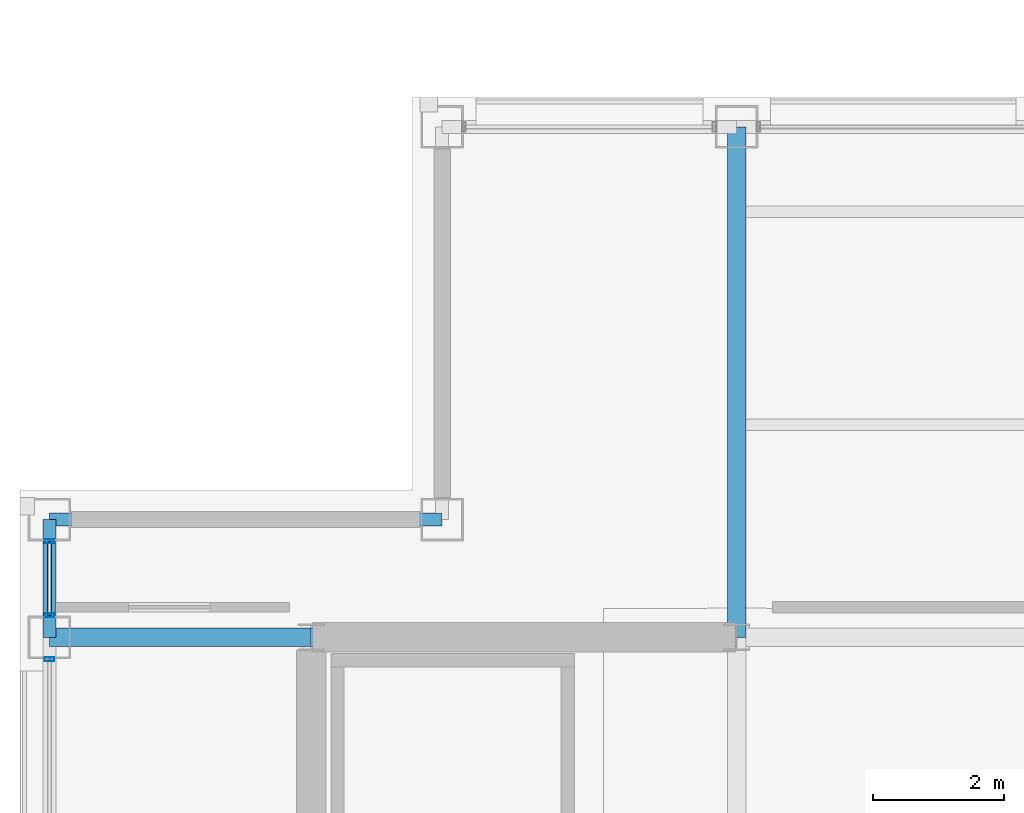
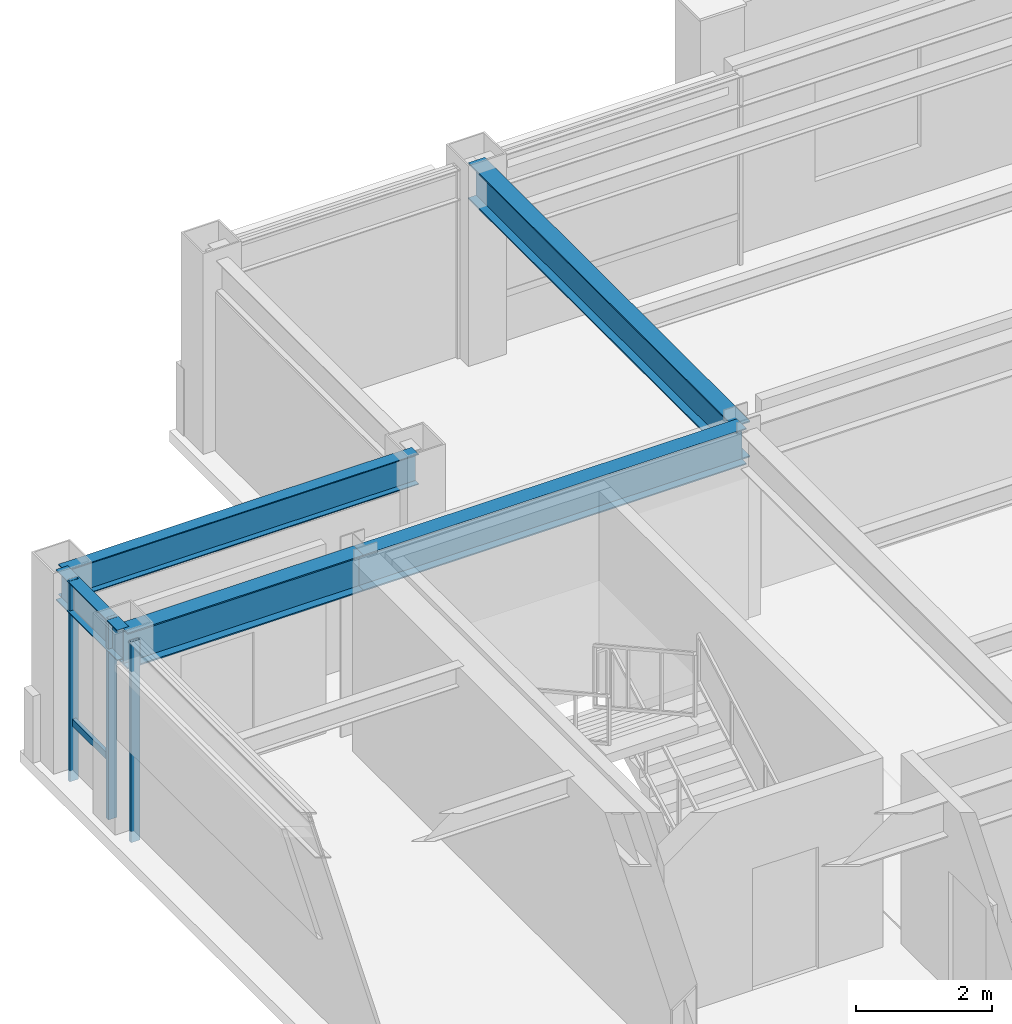
# One storey, part 9 of 24: 5 beams, 4 members, 2 elements without a shape of their own.
"""IFC4 building model written with IfcOpenShell, lengths in metres."""

from ifc_helpers import new_model, si_unit, direction, frame, origin, origin_2d, place, context, subcontext, project, spatial, hollow_rectangle, i_section, extrude, material, layer, layer_set, material_profile, profile_set, type_object, element, aggregate, save


model = new_model("IFC4")

# Units and contexts
model_context = context("Model", 3, precision=1e-05, world=origin(), true_north=direction((0.0, 1.0)))
body_context = subcontext(model_context, "Body", "Model", "MODEL_VIEW")
ifc_project = project(units=[si_unit("LENGTHUNIT", "METRE"), si_unit("AREAUNIT", "SQUARE_METRE"), si_unit("VOLUMEUNIT", "CUBIC_METRE"), si_unit("PLANEANGLEUNIT", "RADIAN"), si_unit("MASSUNIT", "GRAM", prefix="KILO")], contexts=[model_context])

# Site, building, storey
site_placement = place(None, origin())
site = spatial("IfcSite", under=ifc_project, at=site_placement, CompositionType="ELEMENT")
building_placement = place(site_placement, origin())
building = spatial("IfcBuilding", under=site, at=building_placement, Name="Brelmoor Portico Tower", CompositionType="ELEMENT")
storey_placement = place(building_placement, frame((0.0, 0.0, 229.199951171875)))
storey = spatial("IfcBuildingStorey", under=building, at=storey_placement, Name="L60", CompositionType="ELEMENT", Elevation=229.199951171875)

# Beams
ifc_material_1 = material(Name="Steel Q355B", Category="steel")
ifc_material_profile_1 = material_profile(ifc_material_1, i_section(OverallWidth=0.280029296875, OverallDepth=0.64990234375, WebThickness=0.012939453125, FlangeThickness=0.02197265625, at=origin_2d()), Name="HN 650x280x13x22")
ifc_profile_set_1 = profile_set([ifc_material_profile_1], Name="Steel Q355B")
beam_type_1 = type_object("IfcBeamType", Name="BM-PG-650", PredefinedType="BEAM", material=ifc_profile_set_1)
beam_1_placement = place(storey_placement, frame((-8.050048828125, 9.75, 3.074951171875), z_axis=(0.0, 1.0, 0.0), x_axis=(-1.0, 0.0, 0.0)))
element("IfcBeam", 1, at=beam_1_placement, inside=storey, type_object=beam_type_1, Name="L60 Primary Floor Girder PG-05", PredefinedType="BEAM", context=body_context, shape_type="SweptSolid", body=[
    extrude(i_section(OverallWidth=0.280029296875, OverallDepth=0.64990234375, WebThickness=0.012939453125, FlangeThickness=0.02197265625, at=origin_2d()), origin(), (0.0, 0.0, 1.0), 7.800048828125),
])
beam_2_placement = place(storey_placement, frame((-18.550048828125, 9.75, 3.074951171875), z_axis=(1.0, 0.0, 0.0), x_axis=(0.0, 1.0, 0.0)))
element("IfcBeam", 2, at=beam_2_placement, inside=storey, type_object=beam_type_1, Name="L60 Primary Floor Girder PG-19", PredefinedType="BEAM", context=body_context, shape_type="SweptSolid", body=[
    extrude(i_section(OverallWidth=0.280029296875, OverallDepth=0.64990234375, WebThickness=0.012939453125, FlangeThickness=0.02197265625, at=origin_2d()), origin(), (0.0, 0.0, 1.0), 4.0),
])
beam_3_placement = place(storey_placement, frame((-14.550048828125, 9.75, 3.074951171875), z_axis=(1.0, 0.0, 0.0), x_axis=(0.0, 1.0, 0.0)))
element("IfcBeam", 3, at=beam_3_placement, inside=storey, type_object=beam_type_1, Name="L60 Primary Floor Girder PG-20", PredefinedType="BEAM", context=body_context, shape_type="SweptSolid", body=[
    extrude(i_section(OverallWidth=0.280029296875, OverallDepth=0.64990234375, WebThickness=0.012939453125, FlangeThickness=0.02197265625, at=origin_2d()), origin(), (0.0, 0.0, 1.0), 6.5),
])
ifc_material_profile_2 = material_profile(ifc_material_1, i_section(OverallWidth=0.199951171875, OverallDepth=0.550048828125, WebThickness=0.010009765625, FlangeThickness=0.01611328125, at=origin_2d()), Name="HN 550x200x10x16")
ifc_profile_set_2 = profile_set([ifc_material_profile_2], Name="Steel Q355B")
beam_type_2 = type_object("IfcBeamType", Name="BM-SP-550", PredefinedType="SPANDREL", material=ifc_profile_set_2)
beam_4_placement = place(storey_placement, frame((-18.550048828125, 11.550048828125, 3.125), z_axis=(1.0, 0.0, 0.0), x_axis=(0.0, 1.0, 0.0)))
element("IfcBeam", 4, at=beam_4_placement, inside=storey, type_object=beam_type_2, Name="L60 Perimeter Spandrel Beam SP-06", PredefinedType="SPANDREL", context=body_context, shape_type="SweptSolid", body=[
    extrude(i_section(OverallWidth=0.199951171875, OverallDepth=0.550048828125, WebThickness=0.010009765625, FlangeThickness=0.01611328125, at=origin_2d()), origin(), (0.0, 0.0, 1.0), 6.0),
])
beam_5_placement = place(storey_placement, frame((-18.550048828125, 9.75, 3.125), z_axis=(0.0, 1.0, 0.0), x_axis=(-1.0, 0.0, 0.0)))
element("IfcBeam", 5, at=beam_5_placement, inside=storey, type_object=beam_type_2, Name="L60 Perimeter Spandrel Beam SP-13", PredefinedType="SPANDREL", context=body_context, shape_type="SweptSolid", body=[
    extrude(i_section(OverallWidth=0.199951171875, OverallDepth=0.550048828125, WebThickness=0.010009765625, FlangeThickness=0.01611328125, at=origin_2d()), origin(), (0.0, 0.0, 1.0), 1.800048828125),
])

# Curtain wall, member
ifc_material_2 = material(Name="Anodised Aluminium Alloy 6063-T6", Category="aluminium")
ifc_layer_1 = layer(ifc_material_2, 0.179931640625)
ifc_layer_set_1 = layer_set([ifc_layer_1], Name="Anodised Aluminium Alloy 6063-T6")
curtain_wall_type_1 = type_object("IfcCurtainWallType", Name="CW-TOWER-Z4-XB", PredefinedType="NOTDEFINED", material=ifc_layer_set_1)
curtain_wall_1_placement = place(storey_placement, origin())
curtain_wall_1 = element("IfcCurtainWall", 6, at=curtain_wall_1_placement, inside=storey, type_object=curtain_wall_type_1, Name="L60 Curtain Wall CW-L60-03-2", PredefinedType="NOTDEFINED")
ifc_material_profile_3 = material_profile(ifc_material_2, hollow_rectangle(XDim=0.06005859375, YDim=0.14990234375, WallThickness=0.00390625, at=origin_2d()), Name="ALU MULLION 60x150")
ifc_profile_set_3 = profile_set([ifc_material_profile_3], Name="Anodised Aluminium Alloy 6063-T6")
member_type_1 = type_object("IfcMemberType", Name="MB-CW-MULL-150", PredefinedType="MULLION", material=ifc_profile_set_3)
member_1_placement = place(storey_placement, frame((-18.550048828125, 9.4150390625, -0.199951171875), z_axis=(0.0, 0.0, 1.0), x_axis=(0.0, 1.0, 0.0)))
member_1 = element("IfcMember", 7, at=member_1_placement, type_object=member_type_1, Name="CW-L60-03-2 Mullion 02", PredefinedType="MULLION", context=body_context, shape_type="SweptSolid", body=[
    extrude(hollow_rectangle(XDim=0.06005859375, YDim=0.14990234375, WallThickness=0.00390625, at=origin_2d()), origin(), (0.0, 0.0, 1.0), 3.60009765625),
])
aggregate(curtain_wall_1, [member_1])

# Curtain wall, members
ifc_layer_2 = layer(ifc_material_2, 0.179931640625)
ifc_layer_set_2 = layer_set([ifc_layer_2], Name="Anodised Aluminium Alloy 6063-T6")
curtain_wall_type_2 = type_object("IfcCurtainWallType", Name="CW-TOWER-Z4", PredefinedType="NOTDEFINED", material=ifc_layer_set_2)
curtain_wall_2_placement = place(storey_placement, origin())
curtain_wall_2 = element("IfcCurtainWall", 8, at=curtain_wall_2_placement, inside=storey, type_object=curtain_wall_type_2, Name="L60 Curtain Wall CW-L60-03-3", PredefinedType="NOTDEFINED")
member_2_placement = place(storey_placement, frame((-18.550048828125, 10.0849609375, -0.199951171875), z_axis=(0.0, 0.0, 1.0), x_axis=(0.0, 1.0, 0.0)))
member_2 = element("IfcMember", 9, at=member_2_placement, type_object=member_type_1, Name="CW-L60-03-3 Mullion 00", PredefinedType="MULLION", context=body_context, shape_type="SweptSolid", body=[
    extrude(hollow_rectangle(XDim=0.06005859375, YDim=0.14990234375, WallThickness=0.00390625, at=origin_2d()), origin(), (0.0, 0.0, 1.0), 3.60009765625),
])
member_3_placement = place(storey_placement, frame((-18.550048828125, 11.215087890625, -0.199951171875), z_axis=(0.0, 0.0, 1.0), x_axis=(0.0, 1.0, 0.0)))
member_3 = element("IfcMember", 10, at=member_3_placement, type_object=member_type_1, Name="CW-L60-03-3 Mullion 01", PredefinedType="MULLION", context=body_context, shape_type="SweptSolid", body=[
    extrude(hollow_rectangle(XDim=0.06005859375, YDim=0.14990234375, WallThickness=0.00390625, at=origin_2d()), origin(), (0.0, 0.0, 1.0), 3.60009765625),
])
ifc_material_profile_4 = material_profile(ifc_material_2, hollow_rectangle(XDim=0.06005859375, YDim=0.125, WallThickness=0.00341796875, at=origin_2d()), Name="ALU TRANSOM 60x125")
ifc_profile_set_4 = profile_set([ifc_material_profile_4], Name="Anodised Aluminium Alloy 6063-T6")
member_type_2 = type_object("IfcMemberType", Name="MB-CW-TRAN-125", PredefinedType="USERDEFINED", material=ifc_profile_set_4)
member_4_placement = place(storey_placement, frame((-18.550048828125, 10.0849609375, 0.85009765625), z_axis=(0.0, 1.0, 0.0), x_axis=(-1.0, 0.0, 0.0)))
member_4 = element("IfcMember", 11, at=member_4_placement, type_object=member_type_2, Name="CW-L60-03-3 Transom 1-00", ObjectType="TRANSOM", PredefinedType="USERDEFINED", context=body_context, shape_type="SweptSolid", body=[
    extrude(hollow_rectangle(XDim=0.06005859375, YDim=0.125, WallThickness=0.00341796875, at=origin_2d()), origin(), (0.0, 0.0, 1.0), 1.130126953125),
])
aggregate(curtain_wall_2, [member_2, member_3, member_4])

save(model, "model.ifc")
